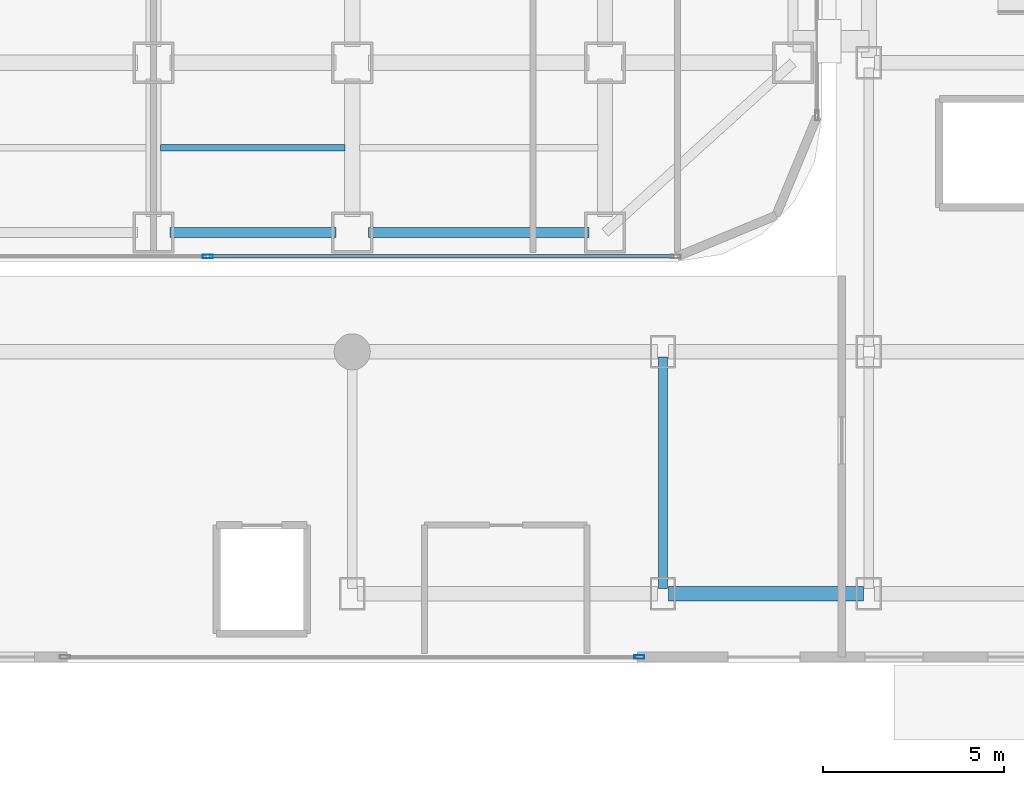
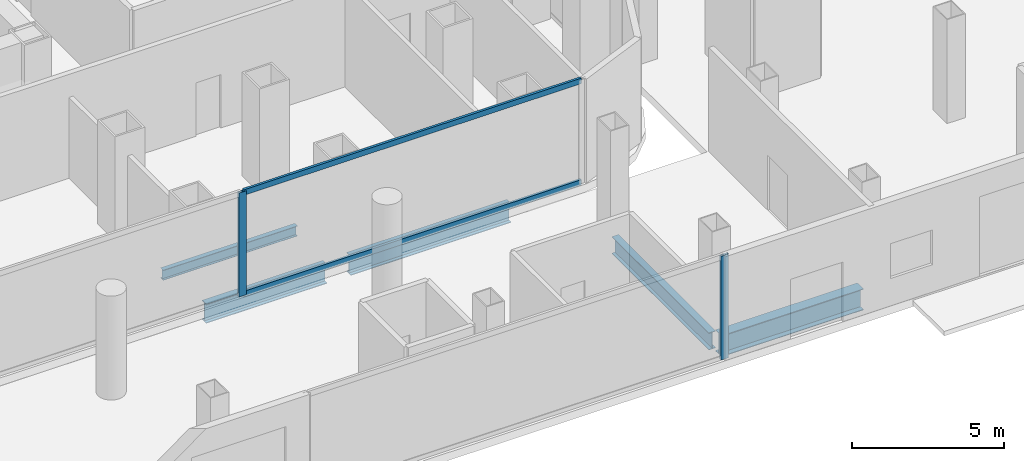
# One storey, part 8 of 31: 5 beams, 4 members, 2 elements without a shape of their own.
"""IFC4 building model written with IfcOpenShell, lengths in metres."""

from ifc_helpers import new_model, si_unit, direction, frame, origin, origin_2d, place, context, subcontext, project, spatial, hollow_rectangle, i_section, extrude, source, transform, mapped, material, layer, layer_set, material_profile, profile_set, type_object, element, aggregate, save


model = new_model("IFC4")

# Units and contexts
model_context = context("Model", 3, precision=1e-05, world=origin(), true_north=direction((0.0, 1.0)))
body_context = subcontext(model_context, "Body", "Model", "MODEL_VIEW")
ifc_project = project(units=[si_unit("LENGTHUNIT", "METRE"), si_unit("AREAUNIT", "SQUARE_METRE"), si_unit("VOLUMEUNIT", "CUBIC_METRE"), si_unit("PLANEANGLEUNIT", "RADIAN"), si_unit("MASSUNIT", "GRAM", prefix="KILO")], contexts=[model_context])

# Site, building, storey
site_placement = place(None, origin())
site = spatial("IfcSite", under=ifc_project, at=site_placement, CompositionType="ELEMENT")
building_placement = place(site_placement, origin())
building = spatial("IfcBuilding", under=site, at=building_placement, Name="Kolveth Station Tower", CompositionType="ELEMENT")
storey_placement = place(building_placement, origin())
storey = spatial("IfcBuildingStorey", under=building, at=storey_placement, Name="L00", CompositionType="ELEMENT", Elevation=0.0)

# Beams
ifc_material_1 = material(Name="Steel S355", Category="steel")
ifc_material_profile_1 = material_profile(ifc_material_1, i_section(OverallWidth=0.26904296875, OverallDepth=0.77490234375, WebThickness=0.01708984375, FlangeThickness=0.0283203125, at=origin_2d()), Name="W760x220")
ifc_profile_set_1 = profile_set([ifc_material_profile_1], Name="Steel S355")
beam_type_1 = type_object("IfcBeamType", Name="Beam_SP1", PredefinedType="SPANDREL", material=ifc_profile_set_1)
shared_shape_1 = source(origin(), body_context, "Body", "SweptSolid", [
    extrude(i_section(OverallWidth=0.26904296875, OverallDepth=0.77490234375, WebThickness=0.01708984375, FlangeThickness=0.0283203125, at=origin_2d()), origin(), (0.0, 0.0, 1.0), 6.10009765625),
])
beam_1_placement = place(storey_placement, frame((34.449951171875, 0.800048828125, -0.70751953125), z_axis=(1.0, 0.0, 0.0), x_axis=(0.0, 1.0, 0.0)))
element("IfcBeam", 1, at=beam_1_placement, inside=storey, type_object=beam_type_1, Name="L00 Perimeter Spandrel BM-L00-PS-5", PredefinedType="SPANDREL", context=body_context, shape_type="MappedRepresentation", body=[
    mapped(shared_shape_1, transform((0.0, 0.0, 0.0), x_axis=(1.0, 0.0, 0.0), y_axis=(0.0, 1.0, 0.0), z_axis=(0.0, 0.0, 1.0), scale=1.0)),
])
shared_shape_2 = source(origin(), body_context, "Body", "SweptSolid", [
    extrude(i_section(OverallWidth=0.26904296875, OverallDepth=0.77490234375, WebThickness=0.01708984375, FlangeThickness=0.0283203125, at=origin_2d()), origin(), (0.0, 0.0, 1.0), 4.60009765625),
])
beam_2_placement = place(storey_placement, frame((28.949951171875, 0.800048828125, -0.70751953125), z_axis=(1.0, 0.0, 0.0), x_axis=(0.0, 1.0, 0.0)))
element("IfcBeam", 2, at=beam_2_placement, inside=storey, type_object=beam_type_1, Name="L00 Perimeter Spandrel BM-L00-PS-4", PredefinedType="SPANDREL", context=body_context, shape_type="MappedRepresentation", body=[
    mapped(shared_shape_2, transform((0.0, 0.0, 0.0), x_axis=(1.0, 0.0, 0.0), y_axis=(0.0, 1.0, 0.0), z_axis=(0.0, 0.0, 1.0), scale=1.0)),
])
ifc_material_profile_2 = material_profile(ifc_material_1, i_section(OverallWidth=0.177978515625, OverallDepth=0.406982421875, WebThickness=0.0078125, FlangeThickness=0.0126953125, at=origin_2d()), Name="W410x60")
ifc_profile_set_2 = profile_set([ifc_material_profile_2], Name="Steel S355")
beam_type_2 = type_object("IfcBeamType", Name="Beam_J1", PredefinedType="JOIST", material=ifc_profile_set_2)
shared_shape_3 = source(origin(), body_context, "Body", "SweptSolid", [
    extrude(i_section(OverallWidth=0.177978515625, OverallDepth=0.406982421875, WebThickness=0.0078125, FlangeThickness=0.0126953125, at=origin_2d()), origin(), (0.0, 0.0, 1.0), 5.10986328125),
])
beam_3_placement = place(storey_placement, frame((28.695068359375, 3.14990234375, -0.5234375), z_axis=(1.0, 0.0, 0.0), x_axis=(0.0, 1.0, 0.0)))
element("IfcBeam", 3, at=beam_3_placement, inside=storey, type_object=beam_type_2, Name="L00 Secondary Joist JST-L00-5-1", PredefinedType="JOIST", context=body_context, shape_type="MappedRepresentation", body=[
    mapped(shared_shape_3, transform((0.0, 0.0, 0.0), x_axis=(1.0, 0.0, 0.0), y_axis=(0.0, 1.0, 0.0), z_axis=(0.0, 0.0, 1.0), scale=1.0)),
])
ifc_material_profile_3 = material_profile(ifc_material_1, i_section(OverallWidth=0.40087890625, OverallDepth=0.85107421875, WebThickness=0.01611328125, FlangeThickness=0.025390625, at=origin_2d()), Name="W840x226")
ifc_profile_set_3 = profile_set([ifc_material_profile_3], Name="Steel S355")
beam_type_3 = type_object("IfcBeamType", Name="Beam_B2", PredefinedType="BEAM", material=ifc_profile_set_3)
shared_shape_4 = source(origin(), body_context, "Body", "SweptSolid", [
    extrude(i_section(OverallWidth=0.40087890625, OverallDepth=0.85107421875, WebThickness=0.01611328125, FlangeThickness=0.025390625, at=origin_2d()), origin(), (0.0, 0.0, 1.0), 5.39990234375),
])
beam_4_placement = place(storey_placement, frame((42.75, -9.199951171875, -0.74560546875), z_axis=(1.0, 0.0, 0.0), x_axis=(0.0, 1.0, 0.0)))
element("IfcBeam", 4, at=beam_4_placement, inside=storey, type_object=beam_type_3, Name="L00 Station Concourse Girder SBM-L00-SL1-5", PredefinedType="BEAM", context=body_context, shape_type="MappedRepresentation", body=[
    mapped(shared_shape_4, transform((0.0, 0.0, 0.0), x_axis=(1.0, 0.0, 0.0), y_axis=(0.0, 1.0, 0.0), z_axis=(0.0, 0.0, 1.0), scale=1.0)),
])
ifc_material_profile_4 = material_profile(ifc_material_1, i_section(OverallWidth=0.25390625, OverallDepth=0.68798828125, WebThickness=0.01318359375, FlangeThickness=0.02099609375, at=origin_2d()), Name="W690x152")
ifc_profile_set_4 = profile_set([ifc_material_profile_4], Name="Steel S355")
beam_type_4 = type_object("IfcBeamType", Name="Beam_B4", PredefinedType="BEAM", material=ifc_profile_set_4)
shared_shape_5 = source(origin(), body_context, "Body", "SweptSolid", [
    extrude(i_section(OverallWidth=0.25390625, OverallDepth=0.68798828125, WebThickness=0.01318359375, FlangeThickness=0.02099609375, at=origin_2d()), origin(), (0.0, 0.0, 1.0), 6.400146484375),
])
beam_5_placement = place(storey_placement, frame((42.60009765625, -9.050048828125, -0.6640625), z_axis=(0.0, 1.0, 0.0), x_axis=(-1.0, 0.0, 0.0)))
element("IfcBeam", 5, at=beam_5_placement, inside=storey, type_object=beam_type_4, Name="L00 Station Transverse Beam SBM-L00-ST-5", PredefinedType="BEAM", context=body_context, shape_type="MappedRepresentation", body=[
    mapped(shared_shape_5, transform((0.0, 0.0, 0.0), x_axis=(1.0, 0.0, 0.0), y_axis=(0.0, 1.0, 0.0), z_axis=(0.0, 0.0, 1.0), scale=1.0)),
])

# Curtain wall, member
ifc_material_2 = material(Name="Black anodized aluminium 6063-T6 and clear station glass", Category="aluminium")
ifc_layer = layer(ifc_material_2, 0.239990234375)
ifc_layer_set = layer_set([ifc_layer], Name="Black anodized aluminium 6063-T6 and clear station glass")
curtain_wall_type = type_object("IfcCurtainWallType", Name="CurtainWall_CW-ST", PredefinedType="NOTDEFINED", material=ifc_layer_set)
curtain_wall_1_placement = place(storey_placement, origin())
curtain_wall_1 = element("IfcCurtainWall", 6, at=curtain_wall_1_placement, inside=storey, type_object=curtain_wall_type, Name="L00 Tower Podium South Storefront Curtain Wall", PredefinedType="NOTDEFINED")
ifc_material_3 = material(Name="Black anodized aluminium 6063-T6", Category="aluminium")
ifc_material_profile_5 = material_profile(ifc_material_3, hollow_rectangle(XDim=0.10009765625, YDim=0.280029296875, WallThickness=0.0048828125, at=origin_2d()), Name="ALU-100x280x5")
ifc_profile_set_5 = profile_set([ifc_material_profile_5], Name="Black anodized aluminium 6063-T6")
member_type_1 = type_object("IfcMemberType", Name="Mullion_ML-ST", PredefinedType="MULLION", material=ifc_profile_set_5)
shared_shape_6 = source(origin(), body_context, "Body", "SweptSolid", [
    extrude(hollow_rectangle(XDim=0.10009765625, YDim=0.280029296875, WallThickness=0.0048828125, at=origin_2d()), origin(), (0.0, 0.0, 1.0), 4.179931640625),
])
member_1_placement = place(storey_placement, frame((30.0, 0.139892578125, 0.0), z_axis=(0.0, 0.0, 1.0), x_axis=(0.0, 1.0, 0.0)))
member_1 = element("IfcMember", 7, at=member_1_placement, type_object=member_type_1, Name="CW-ST mullion 3", PredefinedType="MULLION", context=body_context, shape_type="MappedRepresentation", body=[
    mapped(shared_shape_6, transform((0.0, 0.0, 0.0), x_axis=(1.0, 0.0, 0.0), y_axis=(0.0, 1.0, 0.0), z_axis=(0.0, 0.0, 1.0), scale=1.0)),
])

curtain_wall_2_placement = place(storey_placement, origin())
curtain_wall_2 = element("IfcCurtainWall", 8, at=curtain_wall_2_placement, inside=storey, type_object=curtain_wall_type, Name="L00 Station South Concourse Curtain Wall", PredefinedType="NOTDEFINED")
member_2_placement = place(storey_placement, frame((41.949951171875, -10.949951171875, 0.0), z_axis=(0.0, 0.0, 1.0), x_axis=(0.0, 1.0, 0.0)))
member_2 = element("IfcMember", 9, at=member_2_placement, type_object=member_type_1, Name="CW-ST mullion 2", PredefinedType="MULLION", context=body_context, shape_type="MappedRepresentation", body=[
    mapped(shared_shape_6, transform((0.0, 0.0, 0.0), x_axis=(1.0, 0.0, 0.0), y_axis=(0.0, 1.0, 0.0), z_axis=(0.0, 0.0, 1.0), scale=1.0)),
])
aggregate(curtain_wall_2, [member_2])

# Member
ifc_material_profile_6 = material_profile(ifc_material_3, hollow_rectangle(XDim=0.094970703125, YDim=0.219970703125, WallThickness=0.0048828125, at=origin_2d()), Name="ALU-95x220x5")
ifc_profile_set_6 = profile_set([ifc_material_profile_6], Name="Black anodized aluminium 6063-T6")
member_type_2 = type_object("IfcMemberType", Name="Transom_TR-ST", PredefinedType="USERDEFINED", material=ifc_profile_set_6)
shared_shape_7 = source(origin(), body_context, "Body", "SweptSolid", [
    extrude(hollow_rectangle(XDim=0.094970703125, YDim=0.219970703125, WallThickness=0.0048828125, at=origin_2d()), origin(), (0.0, 0.0, 1.0), 12.849853515625),
])
member_3_placement = place(storey_placement, frame((30.050048828125, 0.139892578125, 0.047607421875), z_axis=(1.0, 0.0, 0.0), x_axis=(0.0, 1.0, 0.0)))
member_3 = element("IfcMember", 10, at=member_3_placement, type_object=member_type_2, Name="CW-ST transom 3.1", ObjectType="TRANSOM", PredefinedType="USERDEFINED", context=body_context, shape_type="MappedRepresentation", body=[
    mapped(shared_shape_7, transform((0.0, 0.0, 0.0), x_axis=(1.0, 0.0, 0.0), y_axis=(0.0, 1.0, 0.0), z_axis=(0.0, 0.0, 1.0), scale=1.0)),
])

member_4_placement = place(storey_placement, frame((30.050048828125, 0.139892578125, 4.132568359375), z_axis=(1.0, 0.0, 0.0), x_axis=(0.0, 1.0, 0.0)))
member_4 = element("IfcMember", 11, at=member_4_placement, type_object=member_type_2, Name="CW-ST transom 3.2", ObjectType="TRANSOM", PredefinedType="USERDEFINED", context=body_context, shape_type="MappedRepresentation", body=[
    mapped(shared_shape_7, transform((0.0, 0.0, 0.0), x_axis=(1.0, 0.0, 0.0), y_axis=(0.0, 1.0, 0.0), z_axis=(0.0, 0.0, 1.0), scale=1.0)),
])

aggregate(curtain_wall_1, [member_1, member_3, member_4])

save(model, "model.ifc")
